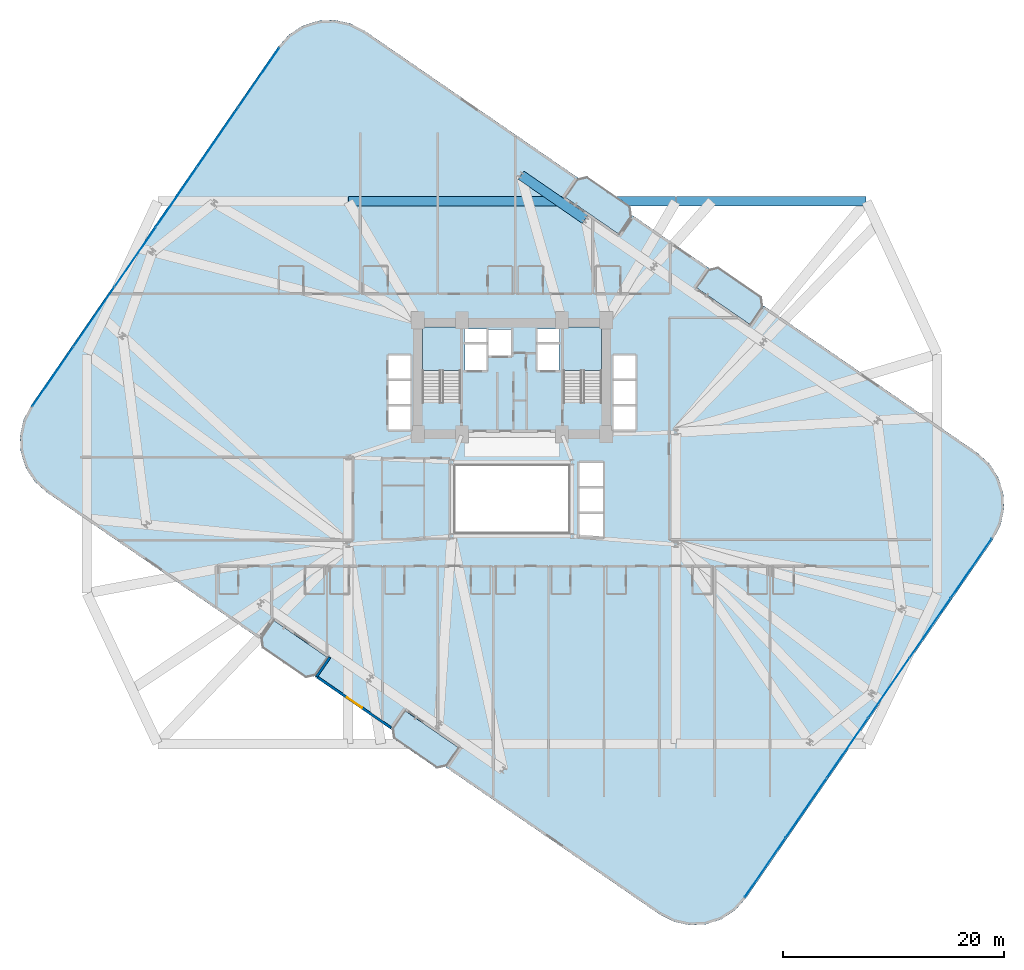
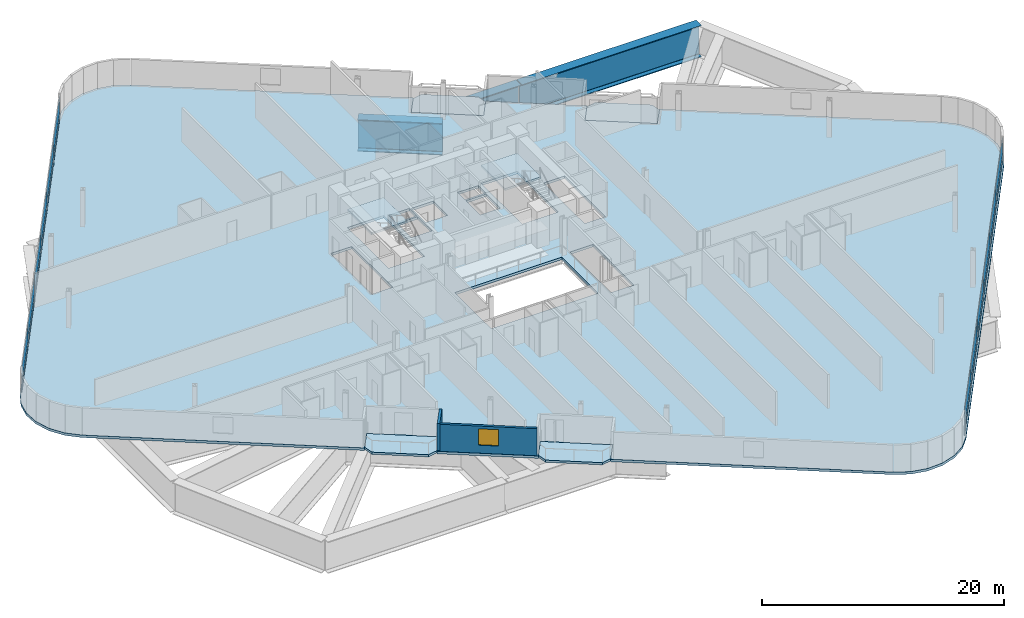
# One storey, part 17 of 26: 24 plates, 7 slabs, 3 beams, 2 walls, 1 window, 1 opening, 4 elements without a shape of their own.
"""IFC4 building model written with IfcOpenShell, lengths in metres."""

from ifc_helpers import new_model, si_unit, direction, frame, frame_2d, origin, origin_2d, place, context, subcontext, project, spatial, polyline, rectangle, i_section, outline, extrude, source, transform, mapped, material, layer, layer_set, material_profile, profile_set, type_object, element, fill, aggregate, save


model = new_model("IFC4")

# Units and contexts
model_context = context("Model", 3, precision=1e-05, world=origin(), true_north=direction((0.0, 1.0)))
body_context = subcontext(model_context, "Body", "Model", "MODEL_VIEW")
ifc_project = project(units=[si_unit("LENGTHUNIT", "METRE"), si_unit("AREAUNIT", "SQUARE_METRE"), si_unit("VOLUMEUNIT", "CUBIC_METRE"), si_unit("PLANEANGLEUNIT", "RADIAN"), si_unit("MASSUNIT", "GRAM", prefix="KILO")], contexts=[model_context])

# Site, building, storey
site_placement = place(None, origin())
site = spatial("IfcSite", under=ifc_project, at=site_placement, CompositionType="ELEMENT")
building_placement = place(site_placement, origin())
building = spatial("IfcBuilding", under=site, at=building_placement, Name="Varnelok Gate Tower", CompositionType="ELEMENT")
storey_placement = place(building_placement, frame((0.0, 0.0, 27.0)))
storey = spatial("IfcBuildingStorey", under=building, at=storey_placement, Name="L05", CompositionType="ELEMENT", Elevation=27.0)

# Beams
ifc_material_1 = material(Name="Structural Steel ASTM A572 Grade 50", Category="steel")
ifc_material_profile = material_profile(ifc_material_1, i_section(OverallWidth=0.89990234375, OverallDepth=3.199951171875, WebThickness=0.0400390625, FlangeThickness=0.074951171875, FilletRadius=0.030029296875, at=origin_2d()), Name="PG3200X900")
ifc_profile_set = profile_set([ifc_material_profile], Name="Structural Steel ASTM A572 Grade 50")
beam_type = type_object("IfcBeamType", Name="BM-TR-PG3200", PredefinedType="BEAM", material=ifc_profile_set)
beam_1_placement = place(storey_placement, frame((71.159912109375, 49.800048828125, -1.85009765625), z_axis=(-1.0, 0.0, 0.0), x_axis=(0.0, -1.0, 0.0)))
element("IfcBeam", 1, at=beam_1_placement, inside=storey, type_object=beam_type, Name="L05 Transfer Support Ring Girder 7", PredefinedType="BEAM", context=body_context, shape_type="SweptSolid", body=[
    extrude(i_section(OverallWidth=0.89990234375, OverallDepth=3.199951171875, WebThickness=0.0400390625, FlangeThickness=0.074951171875, FilletRadius=0.030029296875, at=origin_2d()), origin(), (0.0, 0.0, 1.0), 17.119873046875),
])
beam_2_placement = place(storey_placement, frame((53.9599609375, 49.800048828125, -1.85009765625), z_axis=(-1.0, 0.0, 0.0), x_axis=(0.0, -1.0, 0.0)))
element("IfcBeam", 2, at=beam_2_placement, inside=storey, type_object=beam_type, Name="L05 Transfer Support Ring Girder 8", PredefinedType="BEAM", context=body_context, shape_type="SweptSolid", body=[
    extrude(i_section(OverallWidth=0.89990234375, OverallDepth=3.199951171875, WebThickness=0.0400390625, FlangeThickness=0.074951171875, FilletRadius=0.030029296875, at=origin_2d()), origin(), (0.0, 0.0, 1.0), 29.52001953125),
])
beam_3_placement = place(storey_placement, frame((45.799560546875, 48.172607421875, -1.85009765625), z_axis=(-0.823538289524, 0.567260685829, 0.0), x_axis=(-0.567260685829, -0.823538289524, 0.0)))
element("IfcBeam", 3, at=beam_3_placement, inside=storey, type_object=beam_type, Name="L05 Upper Perimeter Transfer Ring 12", PredefinedType="BEAM", context=body_context, shape_type="SweptSolid", body=[
    extrude(i_section(OverallWidth=0.89990234375, OverallDepth=3.199951171875, WebThickness=0.0400390625, FlangeThickness=0.074951171875, FilletRadius=0.030029296875, at=origin_2d()), origin(), (0.0, 0.0, 1.0), 7.02001953125),
])

# Slabs
ifc_material_2 = material(Name="Concrete C45/55", Category="concrete")
ifc_layer_1 = layer(ifc_material_2, 0.219970703125)
ifc_layer_set_1 = layer_set([ifc_layer_1], Name="Concrete C45/55")
slab_type_1 = type_object("IfcSlabType", Name="SLB-BALC-220", PredefinedType="FLOOR", material=ifc_layer_set_1)
slab_1_placement = place(storey_placement, frame((0.0, 0.0, -0.219970703125)))
element("IfcSlab", 4, at=slab_1_placement, inside=storey, type_object=slab_type_1, Name="L05 South Hollow Balcony 1", PredefinedType="FLOOR", context=body_context, shape_type="SweptSolid", body=[
    extrude(outline(polyline([(16.5048828125, 10.3330078125), (16.67138671875, 9.42919921875), (20.5419921875, 6.762939453125), (21.446044921875, 6.929443359375), (22.58056640625, 8.57666015625), (17.639404296875, 11.980224609375), (16.5048828125, 10.3330078125)])), origin(), (0.0, 0.0, 1.0), 0.219970703125),
])
slab_2_placement = place(storey_placement, frame((0.0, 0.0, -0.219970703125)))
element("IfcSlab", 5, at=slab_2_placement, inside=storey, type_object=slab_type_1, Name="L05 South Hollow Balcony 2", PredefinedType="FLOOR", context=body_context, shape_type="SweptSolid", body=[
    extrude(outline(polyline([(28.36376953125, 2.164306640625), (28.5302734375, 1.260498046875), (32.40087890625, -1.40576171875), (33.304931640625, -1.2392578125), (34.439453125, 0.407958984375), (29.498291015625, 3.8115234375), (28.36376953125, 2.164306640625)])), origin(), (0.0, 0.0, 1.0), 0.219970703125),
])
slab_3_placement = place(storey_placement, frame((0.0, 0.0, -0.219970703125)))
element("IfcSlab", 6, at=slab_3_placement, inside=storey, type_object=slab_type_1, Name="L05 North Hollow Balcony 1", PredefinedType="FLOOR", context=body_context, shape_type="SweptSolid", body=[
    extrude(outline(polyline([(43.960693359375, 50.192138671875), (48.90185546875, 46.78857421875), (50.036376953125, 48.435546875), (49.869873046875, 49.339599609375), (45.999267578125, 52.005615234375), (45.09521484375, 51.839111328125), (43.960693359375, 50.192138671875)])), origin(), (0.0, 0.0, 1.0), 0.219970703125),
])
slab_4_placement = place(storey_placement, frame((0.0, 0.0, -0.219970703125)))
element("IfcSlab", 7, at=slab_4_placement, inside=storey, type_object=slab_type_1, Name="L05 North Hollow Balcony 2", PredefinedType="FLOOR", context=body_context, shape_type="SweptSolid", body=[
    extrude(outline(polyline([(55.819580078125, 42.0234375), (60.7607421875, 38.619873046875), (61.895263671875, 40.266845703125), (61.728515625, 41.1708984375), (57.85791015625, 43.837158203125), (56.9541015625, 43.67041015625), (55.819580078125, 42.0234375)])), origin(), (0.0, 0.0, 1.0), 0.219970703125),
])

# Stair, slab
ifc_material_3 = material(Name="Concrete C50/60", Category="concrete")
stair_type = type_object("IfcStairType", Name="STR-CORE-1650", PredefinedType="HALF_TURN_STAIR", material=ifc_material_3)
stair_1_placement = place(storey_placement, origin())
stair_1 = element("IfcStair", 8, at=stair_1_placement, inside=storey, type_object=stair_type, Name="L05 Exit Stair ST-1", PredefinedType="HALF_TURN_STAIR")
ifc_layer_2 = layer(ifc_material_2, 0.199951171875)
ifc_layer_set_2 = layer_set([ifc_layer_2], Name="Concrete C45/55")
slab_type_2 = type_object("IfcSlabType", Name="SLB-LAND-200", PredefinedType="LANDING", material=ifc_layer_set_2)
slab_5_placement = place(storey_placement, frame((0.0, 0.0, 1.64990234375)))
slab_5 = element("IfcSlab", 9, at=slab_5_placement, type_object=slab_type_2, Name="ST-1 landing 1", PredefinedType="LANDING", context=body_context, shape_type="SweptSolid", body=[
    extrude(outline(polyline([(34.550048828125, 34.5), (34.550048828125, 38.449951171875), (31.10009765625, 38.449951171875), (31.10009765625, 34.5), (34.550048828125, 34.5)])), origin(), (0.0, 0.0, 1.0), 0.2001953125),
])
aggregate(stair_1, [slab_5])

stair_2_placement = place(storey_placement, origin())
stair_2 = element("IfcStair", 10, at=stair_2_placement, inside=storey, type_object=stair_type, Name="L05 Exit Stair ST-2", PredefinedType="HALF_TURN_STAIR")
slab_6_placement = place(storey_placement, frame((0.0, 0.0, 1.64990234375)))
slab_6 = element("IfcSlab", 11, at=slab_6_placement, type_object=slab_type_2, Name="ST-2 landing 1", PredefinedType="LANDING", context=body_context, shape_type="SweptSolid", body=[
    extrude(outline(polyline([(47.300048828125, 34.5), (47.300048828125, 38.449951171875), (43.85009765625, 38.449951171875), (43.85009765625, 34.5), (47.300048828125, 34.5)])), origin(), (0.0, 0.0, 1.0), 0.2001953125),
])
aggregate(stair_2, [slab_6])

# Slab
ifc_layer_3 = layer(ifc_material_3, 0.25)
ifc_layer_set_3 = layer_set([ifc_layer_3], Name="Concrete C50/60")
slab_type_3 = type_object("IfcSlabType", Name="SLB-TYP-250", PredefinedType="FLOOR", material=ifc_layer_set_3)
slab_7_placement = place(storey_placement, frame((0.0, 0.0, -0.25)))
element("IfcSlab", 12, at=slab_7_placement, inside=storey, type_object=slab_type_3, Name="L05 Structural Floor Slab", PredefinedType="FLOOR", context=body_context, shape_type="SweptSolid", body=[
    extrude(outline(polyline([(-4.2578125, 31.3134765625), (-4.922607421875, 30.011474609375), (-5.22802734375, 28.581787109375), (-5.1533203125, 27.121826171875), (-4.702880859375, 25.731201171875), (-3.907958984375, 24.504150390625), (-2.822509765625, 23.52490234375), (7.7734375, 16.22607421875), (16.447998046875, 10.250732421875), (17.639404296875, 11.980224609375), (22.58056640625, 8.57666015625), (21.389404296875, 6.84716796875), (28.306884765625, 2.08203125), (29.498291015625, 3.8115234375), (34.439453125, 0.407958984375), (33.248046875, -1.321533203125), (41.922607421875, -7.296875), (52.518798828125, -14.595703125), (53.82080078125, -15.2607421875), (55.250244140625, -15.566162109375), (56.710205078125, -15.4912109375), (58.10107421875, -15.040771484375), (59.327880859375, -14.245849609375), (60.307373046875, -13.160400390625), (82.65771484375, 19.28662109375), (83.32275390625, 20.58837890625), (83.628173828125, 22.018310546875), (83.55322265625, 23.47802734375), (83.102783203125, 24.868896484375), (82.30810546875, 26.095703125), (81.22265625, 27.0751953125), (70.62646484375, 34.3740234375), (61.951904296875, 40.34912109375), (60.7607421875, 38.619873046875), (55.819580078125, 42.0234375), (57.0107421875, 43.752685546875), (50.093017578125, 48.517822265625), (48.90185546875, 46.78857421875), (43.960693359375, 50.192138671875), (45.15185546875, 51.92138671875), (36.477294921875, 57.896728515625), (25.881103515625, 65.195556640625), (24.579345703125, 65.860595703125), (23.149658203125, 66.166015625), (21.689697265625, 66.091064453125), (20.299072265625, 65.640869140625), (19.072021484375, 64.845947265625), (18.0927734375, 63.760498046875), (-4.2578125, 31.3134765625)]), holes=[polyline([(34.550048828125, 31.679931640625), (34.550048828125, 38.449951171875), (31.10009765625, 38.449951171875), (31.10009765625, 31.679931640625), (34.550048828125, 31.679931640625)]), polyline([(47.300048828125, 31.679931640625), (47.300048828125, 38.449951171875), (43.85009765625, 38.449951171875), (43.85009765625, 31.679931640625), (47.300048828125, 31.679931640625)]), polyline([(34.949951171875, 34.550048828125), (36.89990234375, 34.550048828125), (36.89990234375, 36.89990234375), (34.949951171875, 36.89990234375), (34.949951171875, 34.550048828125)]), polyline([(41.5, 34.550048828125), (43.449951171875, 34.550048828125), (43.449951171875, 36.89990234375), (41.5, 36.89990234375), (41.5, 34.550048828125)]), polyline([(37.050048828125, 35.85009765625), (39.14990234375, 35.85009765625), (39.14990234375, 38.199951171875), (37.050048828125, 38.199951171875), (37.050048828125, 35.85009765625)]), polyline([(28.050048828125, 29.14990234375), (30.050048828125, 29.14990234375), (30.050048828125, 35.89990234375), (28.050048828125, 35.89990234375), (28.050048828125, 29.14990234375)]), polyline([(48.35009765625, 29.14990234375), (50.35009765625, 29.14990234375), (50.35009765625, 35.89990234375), (48.35009765625, 35.89990234375), (48.35009765625, 29.14990234375)]), polyline([(45.25, 19.449951171875), (47.449951171875, 19.449951171875), (47.449951171875, 26.199951171875), (45.25, 26.199951171875), (45.25, 19.449951171875)]), polyline([(34.919921875, 37.080078125), (36.89990234375, 37.080078125), (36.89990234375, 38.280029296875), (34.919921875, 38.280029296875), (34.919921875, 37.080078125)]), polyline([(41.5, 37.080078125), (43.47998046875, 37.080078125), (43.47998046875, 38.280029296875), (41.5, 38.280029296875), (41.5, 37.080078125)]), polyline([(34.10009765625, 19.89990234375), (44.300048828125, 19.89990234375), (44.300048828125, 25.89990234375), (34.10009765625, 25.89990234375), (34.10009765625, 19.89990234375)])]), origin(), (0.0, 0.0, 1.0), 0.25),
])

# Curtain wall, plates
ifc_material_4 = material(Name="Anodized Aluminum Alloy 6063-T6", Category="aluminium")
ifc_layer_4 = layer(ifc_material_4, 0.179931640625)
ifc_layer_set_4 = layer_set([ifc_layer_4], Name="Anodized Aluminum Alloy 6063-T6")
curtain_wall_type = type_object("IfcCurtainWallType", Name="CW3-HOTEL-VISION", PredefinedType="USERDEFINED", material=ifc_layer_set_4)
curtain_wall_1_placement = place(storey_placement, origin())
curtain_wall_1 = element("IfcCurtainWall", 13, at=curtain_wall_1_placement, inside=storey, type_object=curtain_wall_type, Name="L05 West End Vision Curtain Wall", ObjectType="UNITISED CURTAIN WALL", PredefinedType="USERDEFINED")
ifc_material_5 = material(Name="Low-E Laminated Double Glazing IGU", Category="glass")
ifc_layer_5 = layer(ifc_material_5, 0.031982421875)
ifc_layer_set_5 = layer_set([ifc_layer_5], Name="Low-E Laminated Double Glazing IGU")
plate_type = type_object("IfcPlateType", Name="CW-PNL-IGU32", PredefinedType="CURTAIN_PANEL", material=ifc_layer_set_5)
shared_shape_1 = source(origin(), body_context, "Body", "SweptSolid", [
    extrude(rectangle(XDim=6.46923828125, YDim=0.031982421875, at=origin_2d()), origin(), (0.0, 0.0, 1.0), 0.802490234375),
])
plate_1_placement = place(storey_placement, frame((-2.270751953125, 33.951171875, 0.06494140625), z_axis=(0.0, 0.0, 1.0), x_axis=(0.567268822124, 0.823532685111, 0.0)))
plate_1 = element("IfcPlate", 14, at=plate_1_placement, type_object=plate_type, Name="CW3 panel 1.1", PredefinedType="CURTAIN_PANEL", context=body_context, shape_type="MappedRepresentation", body=[
    mapped(shared_shape_1, transform((0.0, 0.0, 0.0), scale=1.0)),
])
plate_2_placement = place(storey_placement, frame((16.336181640625, 60.9638671875, 0.06494140625), z_axis=(0.0, 0.0, 1.0), x_axis=(0.567268822124, 0.823532685111, 0.0)))
plate_2 = element("IfcPlate", 15, at=plate_2_placement, type_object=plate_type, Name="CW3 panel 6.1", PredefinedType="CURTAIN_PANEL", context=body_context, shape_type="MappedRepresentation", body=[
    mapped(shared_shape_1, transform((0.0, 0.0, 0.0), scale=1.0)),
])

curtain_wall_2_placement = place(storey_placement, origin())
curtain_wall_2 = element("IfcCurtainWall", 16, at=curtain_wall_2_placement, inside=storey, type_object=curtain_wall_type, Name="L05 East End Vision Curtain Wall", ObjectType="UNITISED CURTAIN WALL", PredefinedType="USERDEFINED")
plate_3_placement = place(storey_placement, frame((80.670654296875, 16.648681640625, 0.06494140625), z_axis=(0.0, 0.0, 1.0), x_axis=(-0.567268822124, -0.823532685111, 0.0)))
plate_3 = element("IfcPlate", 17, at=plate_3_placement, type_object=plate_type, Name="CW3 panel 1.1", PredefinedType="CURTAIN_PANEL", context=body_context, shape_type="MappedRepresentation", body=[
    mapped(shared_shape_1, transform((0.0, 0.0, 0.0), scale=1.0)),
])
plate_4_placement = place(storey_placement, frame((62.063720703125, -10.36376953125, 0.06494140625), z_axis=(0.0, 0.0, 1.0), x_axis=(-0.567268822124, -0.823532685111, 0.0)))
plate_4 = element("IfcPlate", 18, at=plate_4_placement, type_object=plate_type, Name="CW3 panel 6.1", PredefinedType="CURTAIN_PANEL", context=body_context, shape_type="MappedRepresentation", body=[
    mapped(shared_shape_1, transform((0.0, 0.0, 0.0), scale=1.0)),
])

# Plate
shared_shape_2 = source(origin(), body_context, "Body", "SweptSolid", [
    extrude(rectangle(XDim=6.46923828125, YDim=0.031982421875, at=origin_2d()), origin(), (0.0, 0.0, 1.0), 1.732421875),
])
plate_5_placement = place(storey_placement, frame((-2.270751953125, 33.951171875, 0.9326171875), z_axis=(0.0, 0.0, 1.0), x_axis=(0.567268822124, 0.823532685111, 0.0)))
plate_5 = element("IfcPlate", 19, at=plate_5_placement, type_object=plate_type, Name="CW3 panel 1.2", PredefinedType="CURTAIN_PANEL", context=body_context, shape_type="MappedRepresentation", body=[
    mapped(shared_shape_2, transform((0.0, 0.0, 0.0), scale=1.0)),
])

plate_6_placement = place(storey_placement, frame((16.336181640625, 60.9638671875, 0.9326171875), z_axis=(0.0, 0.0, 1.0), x_axis=(0.567268822124, 0.823532685111, 0.0)))
plate_6 = element("IfcPlate", 20, at=plate_6_placement, type_object=plate_type, Name="CW3 panel 6.2", PredefinedType="CURTAIN_PANEL", context=body_context, shape_type="MappedRepresentation", body=[
    mapped(shared_shape_2, transform((0.0, 0.0, 0.0), scale=1.0)),
])

plate_7_placement = place(storey_placement, frame((80.670654296875, 16.648681640625, 0.9326171875), z_axis=(0.0, 0.0, 1.0), x_axis=(-0.567268822124, -0.823532685111, 0.0)))
plate_7 = element("IfcPlate", 21, at=plate_7_placement, type_object=plate_type, Name="CW3 panel 1.2", PredefinedType="CURTAIN_PANEL", context=body_context, shape_type="MappedRepresentation", body=[
    mapped(shared_shape_2, transform((0.0, 0.0, 0.0), scale=1.0)),
])

plate_8_placement = place(storey_placement, frame((62.063720703125, -10.36376953125, 0.9326171875), z_axis=(0.0, 0.0, 1.0), x_axis=(-0.567268822124, -0.823532685111, 0.0)))
plate_8 = element("IfcPlate", 22, at=plate_8_placement, type_object=plate_type, Name="CW3 panel 6.2", PredefinedType="CURTAIN_PANEL", context=body_context, shape_type="MappedRepresentation", body=[
    mapped(shared_shape_2, transform((0.0, 0.0, 0.0), scale=1.0)),
])

shared_shape_3 = source(origin(), body_context, "Body", "SweptSolid", [
    extrude(rectangle(XDim=6.501708984375, YDim=0.031982421875, at=origin_2d()), origin(), (0.0, 0.0, 1.0), 0.802490234375),
])
plate_9_placement = place(storey_placement, frame((1.4453125, 39.345703125, 0.06494140625), z_axis=(0.0, 0.0, 1.0), x_axis=(0.567268822124, 0.823532685111, 0.0)))
plate_9 = element("IfcPlate", 23, at=plate_9_placement, type_object=plate_type, Name="CW3 panel 2.1", PredefinedType="CURTAIN_PANEL", context=body_context, shape_type="MappedRepresentation", body=[
    mapped(shared_shape_3, transform((0.0, 0.0, 0.0), scale=1.0)),
])

plate_10_placement = place(storey_placement, frame((5.170166015625, 44.753662109375, 0.06494140625), z_axis=(0.0, 0.0, 1.0), x_axis=(0.567268822124, 0.823532685111, 0.0)))
plate_10 = element("IfcPlate", 24, at=plate_10_placement, type_object=plate_type, Name="CW3 panel 3.1", PredefinedType="CURTAIN_PANEL", context=body_context, shape_type="MappedRepresentation", body=[
    mapped(shared_shape_3, transform((0.0, 0.0, 0.0), scale=1.0)),
])

plate_11_placement = place(storey_placement, frame((8.895263671875, 50.161376953125, 0.06494140625), z_axis=(0.0, 0.0, 1.0), x_axis=(0.567268822124, 0.823532685111, 0.0)))
plate_11 = element("IfcPlate", 25, at=plate_11_placement, type_object=plate_type, Name="CW3 panel 4.1", PredefinedType="CURTAIN_PANEL", context=body_context, shape_type="MappedRepresentation", body=[
    mapped(shared_shape_3, transform((0.0, 0.0, 0.0), scale=1.0)),
])

plate_12_placement = place(storey_placement, frame((12.620361328125, 55.5693359375, 0.06494140625), z_axis=(0.0, 0.0, 1.0), x_axis=(0.567268822124, 0.823532685111, 0.0)))
plate_12 = element("IfcPlate", 26, at=plate_12_placement, type_object=plate_type, Name="CW3 panel 5.1", PredefinedType="CURTAIN_PANEL", context=body_context, shape_type="MappedRepresentation", body=[
    mapped(shared_shape_3, transform((0.0, 0.0, 0.0), scale=1.0)),
])

plate_13_placement = place(storey_placement, frame((76.954833984375, 11.25439453125, 0.06494140625), z_axis=(0.0, 0.0, 1.0), x_axis=(-0.567268822124, -0.823532685111, 0.0)))
plate_13 = element("IfcPlate", 27, at=plate_13_placement, type_object=plate_type, Name="CW3 panel 2.1", PredefinedType="CURTAIN_PANEL", context=body_context, shape_type="MappedRepresentation", body=[
    mapped(shared_shape_3, transform((0.0, 0.0, 0.0), scale=1.0)),
])

plate_14_placement = place(storey_placement, frame((73.229736328125, 5.846435546875, 0.06494140625), z_axis=(0.0, 0.0, 1.0), x_axis=(-0.567268822124, -0.823532685111, 0.0)))
plate_14 = element("IfcPlate", 28, at=plate_14_placement, type_object=plate_type, Name="CW3 panel 3.1", PredefinedType="CURTAIN_PANEL", context=body_context, shape_type="MappedRepresentation", body=[
    mapped(shared_shape_3, transform((0.0, 0.0, 0.0), scale=1.0)),
])

plate_15_placement = place(storey_placement, frame((69.504638671875, 0.4384765625, 0.06494140625), z_axis=(0.0, 0.0, 1.0), x_axis=(-0.567268822124, -0.823532685111, 0.0)))
plate_15 = element("IfcPlate", 29, at=plate_15_placement, type_object=plate_type, Name="CW3 panel 4.1", PredefinedType="CURTAIN_PANEL", context=body_context, shape_type="MappedRepresentation", body=[
    mapped(shared_shape_3, transform((0.0, 0.0, 0.0), scale=1.0)),
])

plate_16_placement = place(storey_placement, frame((65.779541015625, -4.96923828125, 0.06494140625), z_axis=(0.0, 0.0, 1.0), x_axis=(-0.567268822124, -0.823532685111, 0.0)))
plate_16 = element("IfcPlate", 30, at=plate_16_placement, type_object=plate_type, Name="CW3 panel 5.1", PredefinedType="CURTAIN_PANEL", context=body_context, shape_type="MappedRepresentation", body=[
    mapped(shared_shape_3, transform((0.0, 0.0, 0.0), scale=1.0)),
])

shared_shape_4 = source(origin(), body_context, "Body", "SweptSolid", [
    extrude(rectangle(XDim=6.501708984375, YDim=0.031982421875, at=origin_2d()), origin(), (0.0, 0.0, 1.0), 1.732421875),
])
plate_17_placement = place(storey_placement, frame((1.4453125, 39.345703125, 0.9326171875), z_axis=(0.0, 0.0, 1.0), x_axis=(0.567268822124, 0.823532685111, 0.0)))
plate_17 = element("IfcPlate", 31, at=plate_17_placement, type_object=plate_type, Name="CW3 panel 2.2", PredefinedType="CURTAIN_PANEL", context=body_context, shape_type="MappedRepresentation", body=[
    mapped(shared_shape_4, transform((0.0, 0.0, 0.0), scale=1.0)),
])

plate_18_placement = place(storey_placement, frame((5.170166015625, 44.753662109375, 0.9326171875), z_axis=(0.0, 0.0, 1.0), x_axis=(0.567268822124, 0.823532685111, 0.0)))
plate_18 = element("IfcPlate", 32, at=plate_18_placement, type_object=plate_type, Name="CW3 panel 3.2", PredefinedType="CURTAIN_PANEL", context=body_context, shape_type="MappedRepresentation", body=[
    mapped(shared_shape_4, transform((0.0, 0.0, 0.0), scale=1.0)),
])

plate_19_placement = place(storey_placement, frame((8.895263671875, 50.161376953125, 0.9326171875), z_axis=(0.0, 0.0, 1.0), x_axis=(0.567268822124, 0.823532685111, 0.0)))
plate_19 = element("IfcPlate", 33, at=plate_19_placement, type_object=plate_type, Name="CW3 panel 4.2", PredefinedType="CURTAIN_PANEL", context=body_context, shape_type="MappedRepresentation", body=[
    mapped(shared_shape_4, transform((0.0, 0.0, 0.0), scale=1.0)),
])

plate_20_placement = place(storey_placement, frame((12.620361328125, 55.5693359375, 0.9326171875), z_axis=(0.0, 0.0, 1.0), x_axis=(0.567268822124, 0.823532685111, 0.0)))
plate_20 = element("IfcPlate", 34, at=plate_20_placement, type_object=plate_type, Name="CW3 panel 5.2", PredefinedType="CURTAIN_PANEL", context=body_context, shape_type="MappedRepresentation", body=[
    mapped(shared_shape_4, transform((0.0, 0.0, 0.0), scale=1.0)),
])

aggregate(curtain_wall_1, [plate_1, plate_5, plate_9, plate_17, plate_10, plate_18, plate_11, plate_19, plate_12, plate_20, plate_2, plate_6])

plate_21_placement = place(storey_placement, frame((76.954833984375, 11.25439453125, 0.9326171875), z_axis=(0.0, 0.0, 1.0), x_axis=(-0.567268822124, -0.823532685111, 0.0)))
plate_21 = element("IfcPlate", 35, at=plate_21_placement, type_object=plate_type, Name="CW3 panel 2.2", PredefinedType="CURTAIN_PANEL", context=body_context, shape_type="MappedRepresentation", body=[
    mapped(shared_shape_4, transform((0.0, 0.0, 0.0), scale=1.0)),
])

plate_22_placement = place(storey_placement, frame((73.229736328125, 5.846435546875, 0.9326171875), z_axis=(0.0, 0.0, 1.0), x_axis=(-0.567268822124, -0.823532685111, 0.0)))
plate_22 = element("IfcPlate", 36, at=plate_22_placement, type_object=plate_type, Name="CW3 panel 3.2", PredefinedType="CURTAIN_PANEL", context=body_context, shape_type="MappedRepresentation", body=[
    mapped(shared_shape_4, transform((0.0, 0.0, 0.0), scale=1.0)),
])

plate_23_placement = place(storey_placement, frame((69.504638671875, 0.4384765625, 0.9326171875), z_axis=(0.0, 0.0, 1.0), x_axis=(-0.567268822124, -0.823532685111, 0.0)))
plate_23 = element("IfcPlate", 37, at=plate_23_placement, type_object=plate_type, Name="CW3 panel 4.2", PredefinedType="CURTAIN_PANEL", context=body_context, shape_type="MappedRepresentation", body=[
    mapped(shared_shape_4, transform((0.0, 0.0, 0.0), scale=1.0)),
])

plate_24_placement = place(storey_placement, frame((65.779541015625, -4.96923828125, 0.9326171875), z_axis=(0.0, 0.0, 1.0), x_axis=(-0.567268822124, -0.823532685111, 0.0)))
plate_24 = element("IfcPlate", 38, at=plate_24_placement, type_object=plate_type, Name="CW3 panel 5.2", PredefinedType="CURTAIN_PANEL", context=body_context, shape_type="MappedRepresentation", body=[
    mapped(shared_shape_4, transform((0.0, 0.0, 0.0), scale=1.0)),
])

aggregate(curtain_wall_2, [plate_3, plate_7, plate_13, plate_21, plate_14, plate_22, plate_15, plate_23, plate_16, plate_24, plate_4, plate_8])

# Wall
ifc_layer_6 = layer(ifc_material_2, 0.219970703125)
ifc_layer_set_6 = layer_set([ifc_layer_6], Name="Concrete C45/55")
wall_type = type_object("IfcWallType", Name="EW-BALC-220", PredefinedType="SOLIDWALL", material=ifc_layer_set_6)
wall_1_placement = place(storey_placement, frame((22.747314453125, 8.607421875, 0.0), z_axis=(0.0, 0.0, 1.0), x_axis=(-0.567219383419, -0.823566737474, 0.0)))
element("IfcWall", 39, at=wall_1_placement, inside=storey, type_object=wall_type, Name="L05 Perimeter Facade Closure Wall 9", PredefinedType="SOLIDWALL", context=body_context, shape_type="SweptSolid", body=[
    extrude(rectangle(XDim=2.10009765625, YDim=0.219970703125, at=frame_2d((1.050048828125, 0.0))), origin(), (0.0, 0.0, 1.0), 2.72998046875),
])

# Wall, opening, window
wall_2_placement = place(storey_placement, frame((21.6591796875, 6.806884765625, 0.0), z_axis=(0.0, 0.0, 1.0), x_axis=(0.823535360023, -0.567264938799, 0.0)))
wall_2 = element("IfcWall", 40, at=wall_2_placement, inside=storey, type_object=wall_type, Name="L05 Perimeter Facade Closure Wall 10", PredefinedType="SOLIDWALL", context=body_context, shape_type="SweptSolid", body=[
    extrude(rectangle(XDim=8.034912109375, YDim=0.219970703125, at=frame_2d((4.017578125, 0.0))), origin(), (0.0, 0.0, 1.0), 2.72998046875),
])
opening_placement = place(wall_2_placement, frame((3.1923828125, 0.0, 0.800048828125)))
opening = element("IfcOpeningElement", 41, at=opening_placement, cuts=wall_2, Name="Opening WN3", PredefinedType="OPENING", context=body_context, shape_type="SweptSolid", body=[
    extrude(rectangle(XDim=1.64990234375, YDim=1.64990234375, at=frame_2d((0.824951171875, 0.824951171875))), frame((0.0, 0.119873046875, 0.0), z_axis=(0.0, -1.0, 0.0), x_axis=(1.0, 0.0, 0.0)), (0.0, 0.0, 1.0), 0.239990234375),
])
window_type = type_object("IfcWindowType", Name="WN-HTL-1650", PartitioningType="SINGLE_PANEL", PredefinedType="WINDOW", material=ifc_material_5)
window_placement = place(opening_placement, origin())
window = element("IfcWindow", 42, at=window_placement, inside=storey, type_object=window_type, Name="L05 Perimeter Vision Window 10", OverallHeight=1.64990234375, OverallWidth=1.64990234375, PartitioningType="SINGLE_PANEL", PredefinedType="WINDOW", context=body_context, shape_type="SweptSolid", body=[
    extrude(rectangle(XDim=1.64990234375, YDim=1.64990234375, at=frame_2d((0.824951171875, 0.824951171875))), frame((0.0, 0.030029296875, 0.0), z_axis=(0.0, -1.0, 0.0), x_axis=(1.0, 0.0, 0.0)), (0.0, 0.0, 1.0), 0.06005859375),
])
fill(opening, window)

save(model, "model.ifc")
